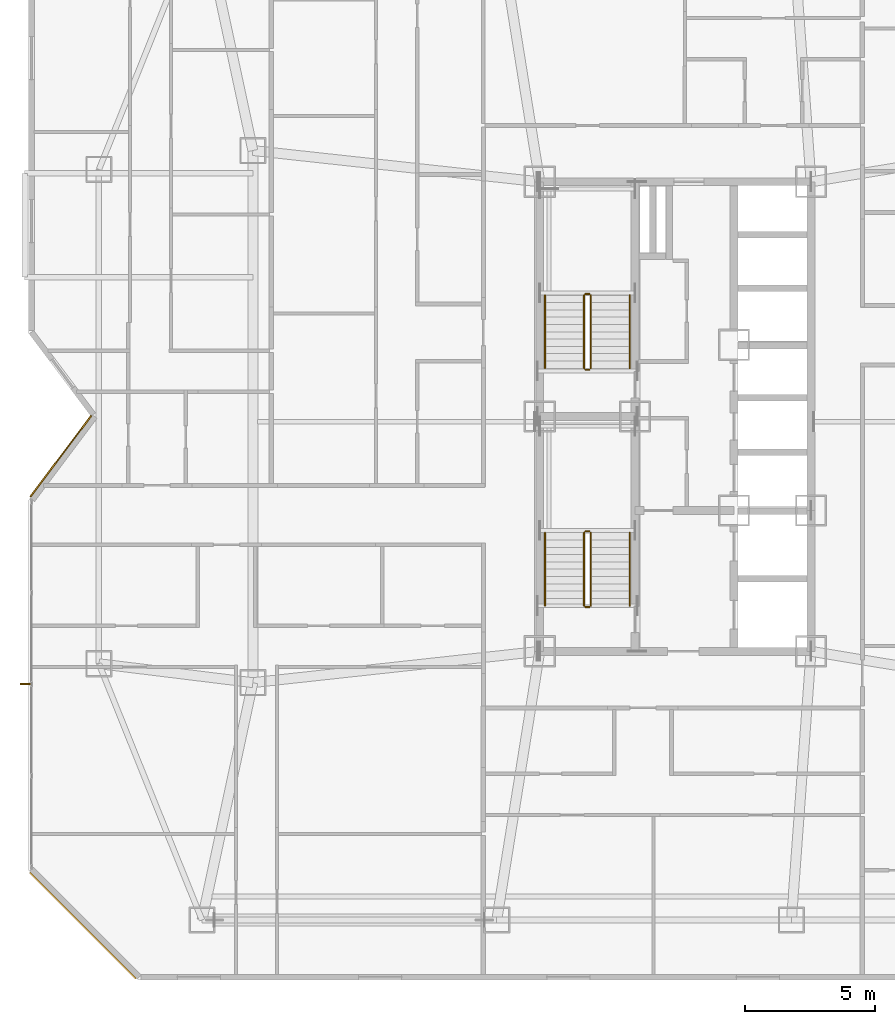
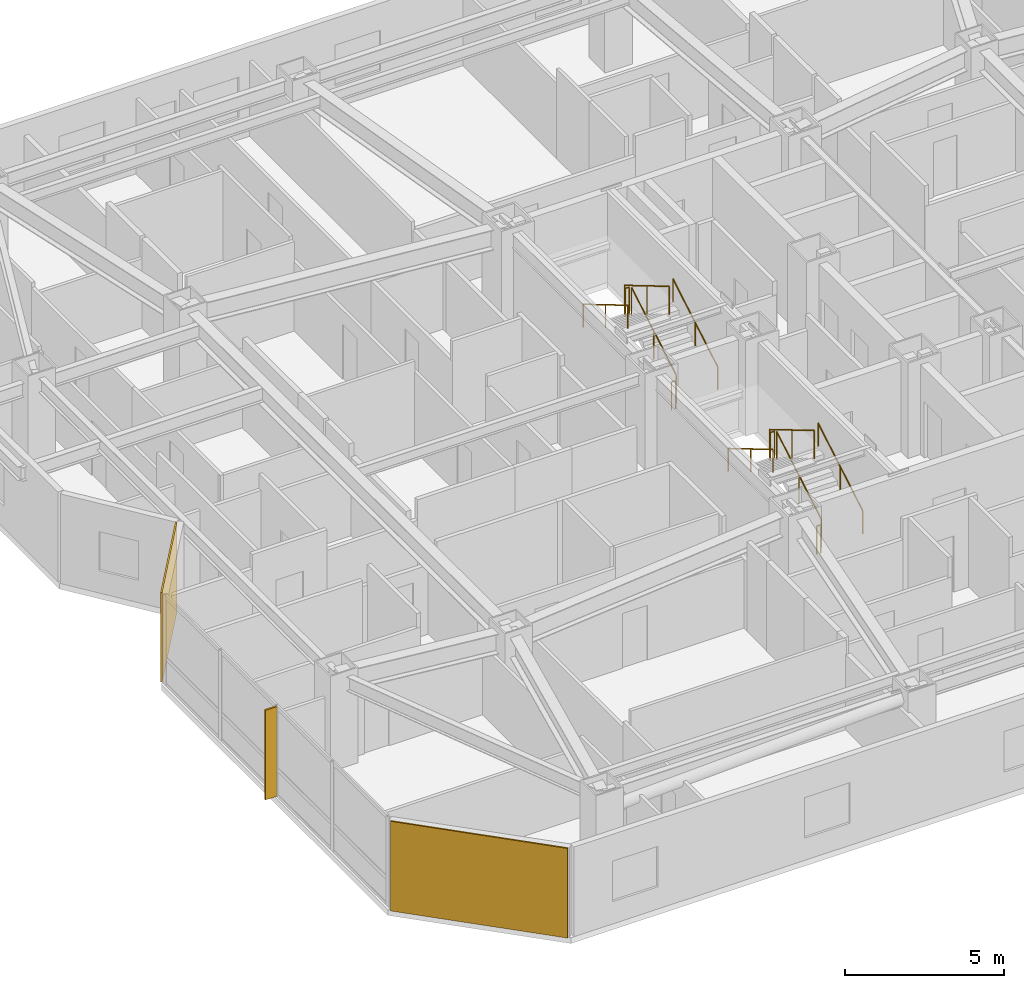
# One storey, part 18 of 19: 12 railings, 2 coverings, 1 shading device.
"""IFC4 building model written with IfcOpenShell, lengths in metres."""

from ifc_helpers import new_model, si_unit, direction, frame, origin, origin_2d, place, context, subcontext, project, spatial, rectangle, circle, extrude, material, layer, layer_set, type_object, element, save


model = new_model("IFC4")

# Units and contexts
model_context = context("Model", 3, precision=1e-05, world=origin(), true_north=direction((0.0, 1.0)))
body_context = subcontext(model_context, "Body", "Model", "MODEL_VIEW")
ifc_project = project(units=[si_unit("LENGTHUNIT", "METRE"), si_unit("AREAUNIT", "SQUARE_METRE"), si_unit("VOLUMEUNIT", "CUBIC_METRE"), si_unit("PLANEANGLEUNIT", "RADIAN"), si_unit("MASSUNIT", "GRAM", prefix="KILO")], contexts=[model_context])

# Site, building, storey
site_placement = place(None, origin())
site = spatial("IfcSite", under=ifc_project, at=site_placement, CompositionType="ELEMENT")
building_placement = place(site_placement, origin())
building = spatial("IfcBuilding", under=site, at=building_placement, Name="Khamvora Tower", CompositionType="ELEMENT")
storey_placement = place(building_placement, frame((0.0, 0.0, 120.14990234375)))
storey = spatial("IfcBuildingStorey", under=building, at=storey_placement, Name="L30", CompositionType="ELEMENT", Elevation=120.14990234375)

# Coverings
ifc_material_1 = material(Name="Anodised Bronze Aluminium Spandrel Panel", Category="aluminium")
ifc_layer = layer(ifc_material_1, 0.054931640625)
ifc_layer_set = layer_set([ifc_layer], Name="Anodised Bronze Aluminium Spandrel Panel")
covering_type = type_object("IfcCoveringType", Name="COV-CLD-BRZ", PredefinedType="CLADDING", material=ifc_layer_set)
covering_1_placement = place(storey_placement, frame((11.487060546875, 8.487060546875, 0.0), z_axis=(0.0, 0.0, 1.0), x_axis=(-0.707106781187, 0.707106781187, 0.0)))
element("IfcCovering", 1, at=covering_1_placement, inside=storey, type_object=covering_type, Name="L30 chamfer rainscreen cladding 01.1", PredefinedType="CLADDING", context=body_context, shape_type="SweptSolid", body=[
    extrude(rectangle(XDim=5.7490234375, YDim=0.054931640625, at=origin_2d()), origin(), (0.0, 0.0, 1.0), 3.429931640625),
])
covering_2_placement = place(storey_placement, frame((10.638916015625, 26.48095703125, 0.0), z_axis=(0.0, 0.0, 1.0), x_axis=(0.600000000002, 0.799999999998, 0.0)))
element("IfcCovering", 2, at=covering_2_placement, inside=storey, type_object=covering_type, Name="L30 chamfer rainscreen cladding 03.1", PredefinedType="CLADDING", context=body_context, shape_type="SweptSolid", body=[
    extrude(rectangle(XDim=3.889892578125, YDim=0.054931640625, at=origin_2d()), origin(), (0.0, 0.0, 1.0), 3.429931640625),
])

# Railings
ifc_material_2 = material(Name="Brushed Stainless Steel 316", Category="steel")
railing_type_1 = type_object("IfcRailingType", Name="RAL-HDR-920", PredefinedType="HANDRAIL", material=ifc_material_2)
railing_1_placement = place(storey_placement, frame((32.449951171875, 20.75, 0.166015625)))
element("IfcRailing", 3, at=railing_1_placement, inside=storey, type_object=railing_type_1, Name="L30 ST-01 stair handrail 1", PredefinedType="HANDRAIL", context=body_context, shape_type="SweptSolid", body=[
    extrude(circle(Radius=0.02392578125, at=origin_2d()), frame((0.0, 0.0, 0.8759765625), z_axis=(0.0, 0.860306154799, 0.50977771628), x_axis=(-1.0, 0.0, 0.0)), (0.0, 0.0, 1.0), 3.254638671875),
    extrude(circle(Radius=0.02099609375, at=origin_2d()), origin(), (0.0, 0.0, 1.0), 0.851806640625),
    extrude(circle(Radius=0.02099609375, at=origin_2d()), frame((0.0, 1.39990234375, 0.82958984375)), (0.0, 0.0, 1.0), 0.851806640625),
    extrude(circle(Radius=0.02099609375, at=origin_2d()), frame((0.0, 2.800048828125, 1.6591796875)), (0.0, 0.0, 1.0), 0.851806640625),
])
railing_2_placement = place(storey_placement, frame((29.199951171875, 23.550048828125, 1.990966796875)))
element("IfcRailing", 4, at=railing_2_placement, inside=storey, type_object=railing_type_1, Name="L30 ST-01 stair handrail 2", PredefinedType="HANDRAIL", context=body_context, shape_type="SweptSolid", body=[
    extrude(circle(Radius=0.02392578125, at=origin_2d()), frame((0.0, 0.0, 0.8759765625), z_axis=(0.0, -0.860306154799, 0.50977771628), x_axis=(1.0, 0.0, 0.0)), (0.0, 0.0, 1.0), 3.254638671875),
    extrude(circle(Radius=0.02099609375, at=origin_2d()), origin(), (0.0, 0.0, 1.0), 0.851806640625),
    extrude(circle(Radius=0.02099609375, at=origin_2d()), frame((0.0, -1.39990234375, 0.82958984375)), (0.0, 0.0, 1.0), 0.851806640625),
    extrude(circle(Radius=0.02099609375, at=origin_2d()), frame((0.0, -2.800048828125, 1.6591796875)), (0.0, 0.0, 1.0), 0.851806640625),
])
railing_3_placement = place(storey_placement, frame((32.449951171875, 29.85009765625, 0.166015625)))
element("IfcRailing", 5, at=railing_3_placement, inside=storey, type_object=railing_type_1, Name="L30 ST-02 stair handrail 1", PredefinedType="HANDRAIL", context=body_context, shape_type="SweptSolid", body=[
    extrude(circle(Radius=0.02392578125, at=origin_2d()), frame((0.0, 0.0, 0.8759765625), z_axis=(0.0, 0.860286659441, 0.509810615413), x_axis=(-1.0, 0.0, 0.0)), (0.0, 0.0, 1.0), 3.25439453125),
    extrude(circle(Radius=0.02099609375, at=origin_2d()), origin(), (0.0, 0.0, 1.0), 0.851806640625),
    extrude(circle(Radius=0.02099609375, at=origin_2d()), frame((0.0, 1.39990234375, 0.82958984375)), (0.0, 0.0, 1.0), 0.851806640625),
    extrude(circle(Radius=0.02099609375, at=origin_2d()), frame((0.0, 2.7998046875, 1.6591796875)), (0.0, 0.0, 1.0), 0.851806640625),
])
railing_4_placement = place(storey_placement, frame((29.199951171875, 32.64990234375, 1.990966796875)))
element("IfcRailing", 6, at=railing_4_placement, inside=storey, type_object=railing_type_1, Name="L30 ST-02 stair handrail 2", PredefinedType="HANDRAIL", context=body_context, shape_type="SweptSolid", body=[
    extrude(circle(Radius=0.02392578125, at=origin_2d()), frame((0.0, 0.0, 0.8759765625), z_axis=(0.0, -0.860286659441, 0.509810615413), x_axis=(1.0, 0.0, 0.0)), (0.0, 0.0, 1.0), 3.25439453125),
    extrude(circle(Radius=0.02099609375, at=origin_2d()), origin(), (0.0, 0.0, 1.0), 0.851806640625),
    extrude(circle(Radius=0.02099609375, at=origin_2d()), frame((0.0, -1.39990234375, 0.82958984375)), (0.0, 0.0, 1.0), 0.851806640625),
    extrude(circle(Radius=0.02099609375, at=origin_2d()), frame((0.0, -2.7998046875, 1.6591796875)), (0.0, 0.0, 1.0), 0.851806640625),
])
ifc_material_3 = material(Name="Stainless Steel 316", Category="steel")
railing_type_2 = type_object("IfcRailingType", Name="RAL-STG-1100", PredefinedType="GUARDRAIL", material=ifc_material_3)
railing_5_placement = place(storey_placement, frame((30.949951171875, 20.75, 0.166015625)))
element("IfcRailing", 7, at=railing_5_placement, inside=storey, type_object=railing_type_2, Name="L30 ST-01 stair guard 1", PredefinedType="GUARDRAIL", context=body_context, shape_type="SweptSolid", body=[
    extrude(circle(Radius=0.02392578125, at=origin_2d()), frame((0.0, 0.0, 1.076171875), z_axis=(0.0, 0.860306154799, 0.50977771628), x_axis=(-1.0, 0.0, 0.0)), (0.0, 0.0, 1.0), 3.254638671875),
    extrude(circle(Radius=0.02099609375, at=origin_2d()), origin(), (0.0, 0.0, 1.0), 1.052001953125),
    extrude(circle(Radius=0.02099609375, at=origin_2d()), frame((0.0, 1.39990234375, 0.82958984375)), (0.0, 0.0, 1.0), 1.052001953125),
    extrude(circle(Radius=0.02099609375, at=origin_2d()), frame((0.0, 2.800048828125, 1.6591796875)), (0.0, 0.0, 1.0), 1.052001953125),
])
railing_6_placement = place(storey_placement, frame((30.89990234375, 23.60009765625, 1.8251953125)))
element("IfcRailing", 8, at=railing_6_placement, inside=storey, type_object=railing_type_2, Name="L30 ST-01 stair guard 2", PredefinedType="GUARDRAIL", context=body_context, shape_type="SweptSolid", body=[
    extrude(circle(Radius=0.02392578125, at=origin_2d()), frame((0.0, 0.0, 1.076171875), z_axis=(-1.0, 0.0, 0.0), x_axis=(0.0, -1.0, 0.0)), (0.0, 0.0, 1.0), 0.14990234375),
    extrude(circle(Radius=0.02099609375, at=origin_2d()), origin(), (0.0, 0.0, 1.0), 1.052001953125),
    extrude(circle(Radius=0.02099609375, at=origin_2d()), frame((-0.14990234375, 0.0, 0.0)), (0.0, 0.0, 1.0), 1.052001953125),
])
railing_7_placement = place(storey_placement, frame((30.699951171875, 23.550048828125, 1.990966796875)))
element("IfcRailing", 9, at=railing_7_placement, inside=storey, type_object=railing_type_2, Name="L30 ST-01 stair guard 3", PredefinedType="GUARDRAIL", context=body_context, shape_type="SweptSolid", body=[
    extrude(circle(Radius=0.02392578125, at=origin_2d()), frame((0.0, 0.0, 1.076171875), z_axis=(0.0, -0.860306154799, 0.50977771628), x_axis=(1.0, 0.0, 0.0)), (0.0, 0.0, 1.0), 3.254638671875),
    extrude(circle(Radius=0.02099609375, at=origin_2d()), origin(), (0.0, 0.0, 1.0), 1.052001953125),
    extrude(circle(Radius=0.02099609375, at=origin_2d()), frame((0.0, -1.39990234375, 0.82958984375)), (0.0, 0.0, 1.0), 1.052001953125),
    extrude(circle(Radius=0.02099609375, at=origin_2d()), frame((0.0, -2.800048828125, 1.6591796875)), (0.0, 0.0, 1.0), 1.052001953125),
])
railing_8_placement = place(storey_placement, frame((30.89990234375, 20.699951171875, 0.0)))
element("IfcRailing", 10, at=railing_8_placement, inside=storey, type_object=railing_type_2, Name="L30 ST-01 stair guard 4", PredefinedType="GUARDRAIL", context=body_context, shape_type="SweptSolid", body=[
    extrude(circle(Radius=0.02392578125, at=origin_2d()), frame((0.0, 0.0, 1.076171875), z_axis=(-1.0, 0.0, 0.0), x_axis=(0.0, -1.0, 0.0)), (0.0, 0.0, 1.0), 0.14990234375),
    extrude(circle(Radius=0.02099609375, at=origin_2d()), origin(), (0.0, 0.0, 1.0), 1.052001953125),
    extrude(circle(Radius=0.02099609375, at=origin_2d()), frame((-0.14990234375, 0.0, 0.0)), (0.0, 0.0, 1.0), 1.052001953125),
])
railing_9_placement = place(storey_placement, frame((30.949951171875, 29.85009765625, 0.166015625)))
element("IfcRailing", 11, at=railing_9_placement, inside=storey, type_object=railing_type_2, Name="L30 ST-02 stair guard 1", PredefinedType="GUARDRAIL", context=body_context, shape_type="SweptSolid", body=[
    extrude(circle(Radius=0.02392578125, at=origin_2d()), frame((0.0, 0.0, 1.076171875), z_axis=(0.0, 0.860286659441, 0.509810615413), x_axis=(-1.0, 0.0, 0.0)), (0.0, 0.0, 1.0), 3.25439453125),
    extrude(circle(Radius=0.02099609375, at=origin_2d()), origin(), (0.0, 0.0, 1.0), 1.052001953125),
    extrude(circle(Radius=0.02099609375, at=origin_2d()), frame((0.0, 1.39990234375, 0.82958984375)), (0.0, 0.0, 1.0), 1.052001953125),
    extrude(circle(Radius=0.02099609375, at=origin_2d()), frame((0.0, 2.7998046875, 1.6591796875)), (0.0, 0.0, 1.0), 1.052001953125),
])
railing_10_placement = place(storey_placement, frame((30.89990234375, 32.699951171875, 1.8251953125)))
element("IfcRailing", 12, at=railing_10_placement, inside=storey, type_object=railing_type_2, Name="L30 ST-02 stair guard 2", PredefinedType="GUARDRAIL", context=body_context, shape_type="SweptSolid", body=[
    extrude(circle(Radius=0.02392578125, at=origin_2d()), frame((0.0, 0.0, 1.076171875), z_axis=(-1.0, 0.0, 0.0), x_axis=(0.0, -1.0, 0.0)), (0.0, 0.0, 1.0), 0.14990234375),
    extrude(circle(Radius=0.02099609375, at=origin_2d()), origin(), (0.0, 0.0, 1.0), 1.052001953125),
    extrude(circle(Radius=0.02099609375, at=origin_2d()), frame((-0.14990234375, 0.0, 0.0)), (0.0, 0.0, 1.0), 1.052001953125),
])
railing_11_placement = place(storey_placement, frame((30.699951171875, 32.64990234375, 1.990966796875)))
element("IfcRailing", 13, at=railing_11_placement, inside=storey, type_object=railing_type_2, Name="L30 ST-02 stair guard 3", PredefinedType="GUARDRAIL", context=body_context, shape_type="SweptSolid", body=[
    extrude(circle(Radius=0.02392578125, at=origin_2d()), frame((0.0, 0.0, 1.076171875), z_axis=(0.0, -0.860286659441, 0.509810615413), x_axis=(1.0, 0.0, 0.0)), (0.0, 0.0, 1.0), 3.25439453125),
    extrude(circle(Radius=0.02099609375, at=origin_2d()), origin(), (0.0, 0.0, 1.0), 1.052001953125),
    extrude(circle(Radius=0.02099609375, at=origin_2d()), frame((0.0, -1.39990234375, 0.82958984375)), (0.0, 0.0, 1.0), 1.052001953125),
    extrude(circle(Radius=0.02099609375, at=origin_2d()), frame((0.0, -2.7998046875, 1.6591796875)), (0.0, 0.0, 1.0), 1.052001953125),
])
railing_12_placement = place(storey_placement, frame((30.89990234375, 29.800048828125, 0.0)))
element("IfcRailing", 14, at=railing_12_placement, inside=storey, type_object=railing_type_2, Name="L30 ST-02 stair guard 4", PredefinedType="GUARDRAIL", context=body_context, shape_type="SweptSolid", body=[
    extrude(circle(Radius=0.02392578125, at=origin_2d()), frame((0.0, 0.0, 1.076171875), z_axis=(-1.0, 0.0, 0.0), x_axis=(0.0, -1.0, 0.0)), (0.0, 0.0, 1.0), 0.14990234375),
    extrude(circle(Radius=0.02099609375, at=origin_2d()), origin(), (0.0, 0.0, 1.0), 1.052001953125),
    extrude(circle(Radius=0.02099609375, at=origin_2d()), frame((-0.14990234375, 0.0, 0.0)), (0.0, 0.0, 1.0), 1.052001953125),
])

# Shading device
ifc_material_4 = material(Name="Anodised Bronze Aluminium 6063-T6", Category="aluminium")
shading_device_type = type_object("IfcShadingDeviceType", Name="SHD-FIN-420", PredefinedType="USERDEFINED", material=ifc_material_4)
shading_device_placement = place(storey_placement, frame((9.282958984375, 17.739990234375, 0.0), z_axis=(0.0, 0.0, 1.0), x_axis=(0.0, 1.0, 0.0)))
element("IfcShadingDevice", 15, at=shading_device_placement, inside=storey, type_object=shading_device_type, Name="L30 anodised bronze solar fin 02.01", ObjectType="FIN", PredefinedType="USERDEFINED", context=body_context, shape_type="SweptSolid", body=[
    extrude(rectangle(XDim=0.06005859375, YDim=0.419921875, at=origin_2d()), origin(), (0.0, 0.0, 1.0), 3.429931640625),
])

save(model, "model.ifc")
